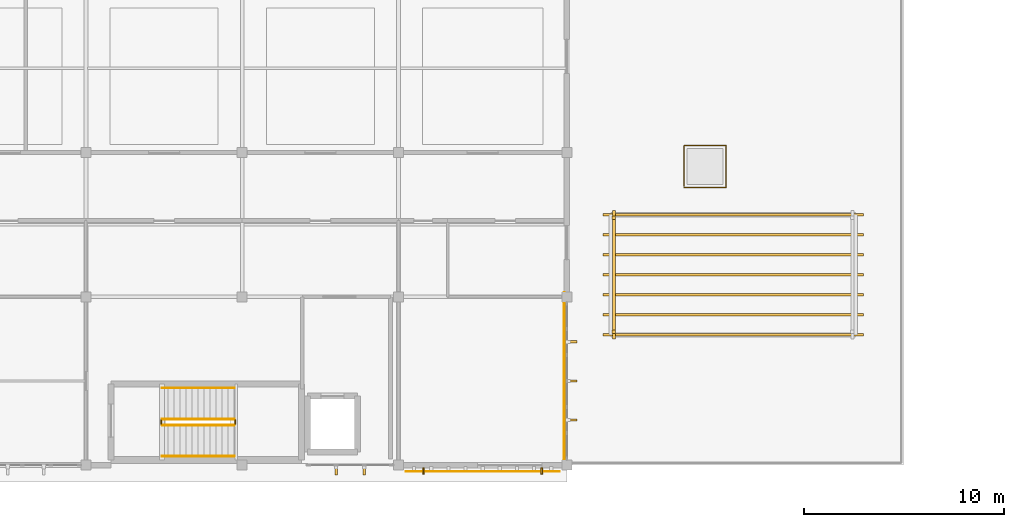
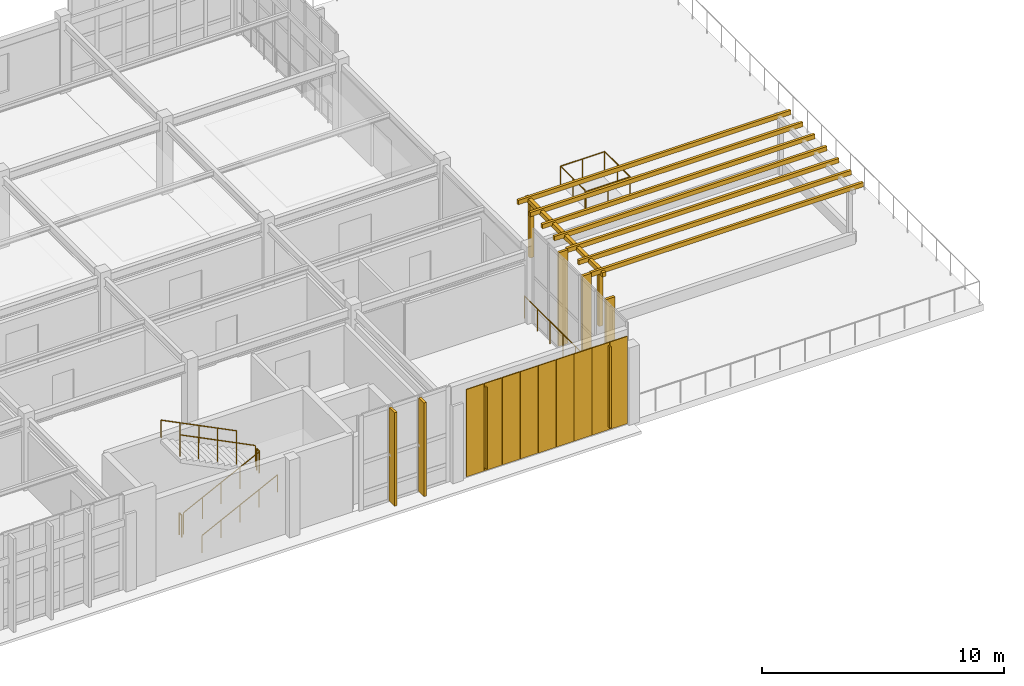
# One storey, part 18 of 20: 24 coverings, 8 railings, 2 shading devices.
"""IFC4 building model written with IfcOpenShell, lengths in metres."""

from ifc_helpers import new_model, si_unit, direction, frame, origin, origin_2d, place, context, subcontext, project, spatial, rectangle, circle, extrude, material, layer, layer_set, type_object, element, save


model = new_model("IFC4")

# Units and contexts
model_context = context("Model", 3, precision=1e-05, world=origin(), true_north=direction((0.0, 1.0)))
body_context = subcontext(model_context, "Body", "Model", "MODEL_VIEW")
ifc_project = project(units=[si_unit("LENGTHUNIT", "METRE"), si_unit("AREAUNIT", "SQUARE_METRE"), si_unit("VOLUMEUNIT", "CUBIC_METRE"), si_unit("PLANEANGLEUNIT", "RADIAN"), si_unit("MASSUNIT", "GRAM", prefix="KILO")], contexts=[model_context])

# Site, building, storey
site_placement = place(None, origin())
site = spatial("IfcSite", under=ifc_project, at=site_placement, CompositionType="ELEMENT")
building_placement = place(site_placement, origin())
building = spatial("IfcBuilding", under=site, at=building_placement, Name="Tizgana Railside Sports Hall", CompositionType="ELEMENT")
storey_placement = place(building_placement, frame((0.0, 0.0, 19.800048828125)))
storey = spatial("IfcBuildingStorey", under=building, at=storey_placement, Name="L04", CompositionType="ELEMENT", Elevation=19.800048828125)

# Shading devices
ifc_material_1 = material(Name="Glulam GL28h", Category="wood")
shading_device_type = type_object("IfcShadingDeviceType", Name="Glulam Vertical Brise-Soleil Fin 320", PredefinedType="JALOUSIE", material=ifc_material_1)
for number, where, z_axis, x_axis, name in (
    (1, (61.75, -0.2939453125, 0.349853515625), (0.0, 0.0, 1.0), (-1.0, 0.0, 0.0), "L04 Glulam Fin FIN-0053"),
    (2, (55.85009765625, -0.2939453125, 0.349853515625), (0.0, 0.0, 1.0), (-1.0, 0.0, 0.0), "L04 Glulam Fin FIN-0054"),
):
    element("IfcShadingDevice", number, at=place(storey_placement, frame(where, z_axis=z_axis, x_axis=x_axis)), inside=storey, type_object=shading_device_type, Name=name, PredefinedType="JALOUSIE", context=body_context, shape_type="SweptSolid", body=[
        extrude(rectangle(XDim=0.080078125, YDim=0.320068359375, at=origin_2d()), origin(), (0.0, 0.0, 1.0), 4.10009765625),
    ])

# Coverings
ifc_layer_1 = layer(ifc_material_1, 0.139892578125, Name="Glulam GL28h")
ifc_layer_set_1 = layer_set([ifc_layer_1], Name="Glulam GL28h")
covering_type_1 = type_object("IfcCoveringType", Name="Mass-Timber Brise-Soleil & Pergola Fin", PredefinedType="CLADDING", material=ifc_layer_set_1)
for number, where, z_axis, x_axis, name in (
    (3, (65.35009765625, 6.64990234375, -0.02001953125), (0.0, 0.0, 1.0), (1.0, 0.0, 0.0), "L04 L04 Terrace Pergola Post"),
    (4, (65.35009765625, 12.35009765625, -0.02001953125), (0.0, 0.0, 1.0), (1.0, 0.0, 0.0), "L04 L04 Terrace Pergola Post"),
):
    element("IfcCovering", number, at=place(storey_placement, frame(where, z_axis=z_axis, x_axis=x_axis)), inside=storey, type_object=covering_type_1, Name=name, PredefinedType="CLADDING", context=body_context, shape_type="SweptSolid", body=[
        extrude(rectangle(XDim=0.179931640625, YDim=0.179931640625, at=origin_2d()), origin(), (0.0, 0.0, 1.0), 2.669921875),
    ])
covering_placement = place(storey_placement, frame((65.35009765625, 9.5, 2.6298828125), z_axis=(0.0, 0.0, 1.0), x_axis=(1.0, 0.0, 0.0)))
element("IfcCovering", 5, at=covering_placement, inside=storey, type_object=covering_type_1, Name="L04 L04 Terrace Pergola Beam", PredefinedType="CLADDING", context=body_context, shape_type="SweptSolid", body=[
    extrude(rectangle(XDim=0.159912109375, YDim=6.39990234375, at=origin_2d()), origin(), (0.0, 0.0, 1.0), 0.219970703125),
])
for number, where, z_axis, x_axis, name in (
    (6, (71.300048828125, 6.5, 2.7197265625), (0.0, 0.0, 1.0), (1.0, 0.0, 0.0), "L04 L04 Terrace Pergola Rafter"),
    (7, (71.300048828125, 7.5, 2.7197265625), (0.0, 0.0, 1.0), (1.0, 0.0, 0.0), "L04 L04 Terrace Pergola Rafter"),
    (8, (71.300048828125, 8.5, 2.7197265625), (0.0, 0.0, 1.0), (1.0, 0.0, 0.0), "L04 L04 Terrace Pergola Rafter"),
    (9, (71.300048828125, 9.5, 2.7197265625), (0.0, 0.0, 1.0), (1.0, 0.0, 0.0), "L04 L04 Terrace Pergola Rafter"),
    (10, (71.300048828125, 10.5, 2.7197265625), (0.0, 0.0, 1.0), (1.0, 0.0, 0.0), "L04 L04 Terrace Pergola Rafter"),
    (11, (71.300048828125, 11.5, 2.7197265625), (0.0, 0.0, 1.0), (1.0, 0.0, 0.0), "L04 L04 Terrace Pergola Rafter"),
    (12, (71.300048828125, 12.5, 2.7197265625), (0.0, 0.0, 1.0), (1.0, 0.0, 0.0), "L04 L04 Terrace Pergola Rafter"),
):
    element("IfcCovering", number, at=place(storey_placement, frame(where, z_axis=z_axis, x_axis=x_axis)), inside=storey, type_object=covering_type_1, Name=name, PredefinedType="CLADDING", context=body_context, shape_type="SweptSolid", body=[
        extrude(rectangle(XDim=13.0, YDim=0.1201171875, at=origin_2d()), origin(), (0.0, 0.0, 1.0), 0.219970703125),
    ])
for number, where, z_axis, x_axis, name in (
    (13, (52.889892578125, -0.280029296875, 0.0400390625), (0.0, 0.0, 1.0), (-1.0, 0.0, 0.0), "L04 Timber Brise-Soleil Fin"),
    (14, (51.485107421875, -0.280029296875, 0.0400390625), (0.0, 0.0, 1.0), (-1.0, 0.0, 0.0), "L04 Timber Brise-Soleil Fin"),
    (15, (63.280029296875, 6.1474609375, 0.0400390625), (0.0, 0.0, 1.0), (0.0, -1.0, 0.0), "L04 Timber Brise-Soleil Fin"),
    (16, (63.280029296875, 4.199951171875, 0.0400390625), (0.0, 0.0, 1.0), (0.0, -1.0, 0.0), "L04 Timber Brise-Soleil Fin"),
    (17, (63.280029296875, 2.25244140625, 0.0400390625), (0.0, 0.0, 1.0), (0.0, -1.0, 0.0), "L04 Timber Brise-Soleil Fin"),
):
    element("IfcCovering", number, at=place(storey_placement, frame(where, z_axis=z_axis, x_axis=x_axis)), inside=storey, type_object=covering_type_1, Name=name, PredefinedType="CLADDING", context=body_context, shape_type="SweptSolid", body=[
        extrude(rectangle(XDim=0.1201171875, YDim=0.43994140625, at=origin_2d()), origin(), (0.0, 0.0, 1.0), 4.719970703125),
    ])
ifc_material_2 = material(Name="Anodised perforated aluminium screen", Category="aluminium")
ifc_layer_2 = layer(ifc_material_2, 0.044921875, Name="Anodised perforated aluminium screen")
ifc_layer_set_2 = layer_set([ifc_layer_2], Name="Anodised perforated aluminium screen")
covering_type_2 = type_object("IfcCoveringType", Name="Perforated Aluminium Hall Screen 900", PredefinedType="CLADDING", material=ifc_layer_set_2)
for number, where, z_axis, x_axis, name in (
    (18, (62.22216796875, -0.31494140625, 0.199951171875), (0.0, 0.0, 1.0), (-1.0, 0.0, 0.0), "L04 Perforated Screen SCR-0614"),
    (19, (61.36669921875, -0.31494140625, 0.199951171875), (0.0, 0.0, 1.0), (-1.0, 0.0, 0.0), "L04 Perforated Screen SCR-0615"),
    (20, (60.510986328125, -0.31494140625, 0.199951171875), (0.0, 0.0, 1.0), (-1.0, 0.0, 0.0), "L04 Perforated Screen SCR-0616"),
    (21, (59.655517578125, -0.31494140625, 0.199951171875), (0.0, 0.0, 1.0), (-1.0, 0.0, 0.0), "L04 Perforated Screen SCR-0617"),
    (22, (58.800048828125, -0.31494140625, 0.199951171875), (0.0, 0.0, 1.0), (-1.0, 0.0, 0.0), "L04 Perforated Screen SCR-0618"),
    (23, (57.9443359375, -0.31494140625, 0.199951171875), (0.0, 0.0, 1.0), (-1.0, 0.0, 0.0), "L04 Perforated Screen SCR-0619"),
    (24, (57.0888671875, -0.31494140625, 0.199951171875), (0.0, 0.0, 1.0), (-1.0, 0.0, 0.0), "L04 Perforated Screen SCR-0620"),
    (25, (56.2333984375, -0.31494140625, 0.199951171875), (0.0, 0.0, 1.0), (-1.0, 0.0, 0.0), "L04 Perforated Screen SCR-0621"),
    (26, (55.377685546875, -0.31494140625, 0.199951171875), (0.0, 0.0, 1.0), (-1.0, 0.0, 0.0), "L04 Perforated Screen SCR-0622"),
):
    element("IfcCovering", number, at=place(storey_placement, frame(where, z_axis=z_axis, x_axis=x_axis)), inside=storey, type_object=covering_type_2, Name=name, PredefinedType="CLADDING", context=body_context, shape_type="SweptSolid", body=[
        extrude(rectangle(XDim=0.837646484375, YDim=0.044921875, at=origin_2d()), origin(), (0.0, 0.0, 1.0), 4.39990234375),
    ])

# Railings
ifc_material_3 = material(Name="Galvanised steel sheet", Category="steel")
railing_type_1 = type_object("IfcRailingType", Name="Safety Balustrade Guard 1100", PredefinedType="BALUSTRADE", material=ifc_material_3)
railing_1_placement = place(storey_placement, frame((42.800048828125, 2.0, 0.14990234375)))
element("IfcRailing", 27, at=railing_1_placement, inside=storey, type_object=railing_type_1, Name="L04 ST-02 stair guard 1", PredefinedType="BALUSTRADE", context=body_context, shape_type="SweptSolid", body=[
    extrude(circle(Radius=0.02392578125, at=origin_2d()), frame((0.0, 0.0, 1.076171875), z_axis=(0.894415058897, 0.0, 0.447237858884), x_axis=(0.0, 1.0, 0.0)), (0.0, 0.0, 1.0), 4.02490234375),
    extrude(circle(Radius=0.02099609375, at=origin_2d()), origin(), (0.0, 0.0, 1.0), 1.052001953125),
    extrude(circle(Radius=0.02099609375, at=origin_2d()), frame((0.89990234375, 0.0, 0.449951171875)), (0.0, 0.0, 1.0), 1.052001953125),
    extrude(circle(Radius=0.02099609375, at=origin_2d()), frame((1.7998046875, 0.0, 0.89990234375)), (0.0, 0.0, 1.0), 1.052001953125),
    extrude(circle(Radius=0.02099609375, at=origin_2d()), frame((2.699951171875, 0.0, 1.35009765625)), (0.0, 0.0, 1.0), 1.052001953125),
    extrude(circle(Radius=0.02099609375, at=origin_2d()), frame((3.599853515625, 0.0, 1.800048828125)), (0.0, 0.0, 1.0), 1.052001953125),
])
railing_2_placement = place(storey_placement, frame((46.449951171875, 2.050048828125, 1.949951171875)))
element("IfcRailing", 28, at=railing_2_placement, inside=storey, type_object=railing_type_1, Name="L04 ST-02 stair guard 2", PredefinedType="BALUSTRADE", context=body_context, shape_type="SweptSolid", body=[
    extrude(circle(Radius=0.02392578125, at=origin_2d()), frame((0.0, 0.0, 1.076171875), z_axis=(0.0, 1.0, 0.0), x_axis=(-1.0, 0.0, 0.0)), (0.0, 0.0, 1.0), 0.199951171875),
    extrude(circle(Radius=0.02099609375, at=origin_2d()), origin(), (0.0, 0.0, 1.0), 1.052001953125),
    extrude(circle(Radius=0.02099609375, at=origin_2d()), frame((0.0, 0.199951171875, 0.0)), (0.0, 0.0, 1.0), 1.052001953125),
])
railing_3_placement = place(storey_placement, frame((46.39990234375, 2.300048828125, 2.099853515625)))
element("IfcRailing", 29, at=railing_3_placement, inside=storey, type_object=railing_type_1, Name="L04 ST-02 stair guard 3", PredefinedType="BALUSTRADE", context=body_context, shape_type="SweptSolid", body=[
    extrude(circle(Radius=0.02392578125, at=origin_2d()), frame((0.0, 0.0, 1.076171875), z_axis=(-0.894415058897, 0.0, 0.447237858884), x_axis=(0.0, -1.0, 0.0)), (0.0, 0.0, 1.0), 4.02490234375),
    extrude(circle(Radius=0.02099609375, at=origin_2d()), origin(), (0.0, 0.0, 1.0), 1.052001953125),
    extrude(circle(Radius=0.02099609375, at=origin_2d()), frame((-0.89990234375, 0.0, 0.449951171875)), (0.0, 0.0, 1.0), 1.052001953125),
    extrude(circle(Radius=0.02099609375, at=origin_2d()), frame((-1.7998046875, 0.0, 0.89990234375)), (0.0, 0.0, 1.0), 1.052001953125),
    extrude(circle(Radius=0.02099609375, at=origin_2d()), frame((-2.699951171875, 0.0, 1.35009765625)), (0.0, 0.0, 1.0), 1.052001953125),
    extrude(circle(Radius=0.02099609375, at=origin_2d()), frame((-3.599853515625, 0.0, 1.800048828125)), (0.0, 0.0, 1.0), 1.052001953125),
])
railing_4_placement = place(storey_placement, frame((42.75, 2.050048828125, 0.0)))
element("IfcRailing", 30, at=railing_4_placement, inside=storey, type_object=railing_type_1, Name="L04 ST-02 stair guard 4", PredefinedType="BALUSTRADE", context=body_context, shape_type="SweptSolid", body=[
    extrude(circle(Radius=0.02392578125, at=origin_2d()), frame((0.0, 0.0, 1.076171875), z_axis=(0.0, 1.0, 0.0), x_axis=(-1.0, 0.0, 0.0)), (0.0, 0.0, 1.0), 0.199951171875),
    extrude(circle(Radius=0.02099609375, at=origin_2d()), origin(), (0.0, 0.0, 1.0), 1.052001953125),
    extrude(circle(Radius=0.02099609375, at=origin_2d()), frame((0.0, 0.199951171875, 0.0)), (0.0, 0.0, 1.0), 1.052001953125),
])
ifc_material_4 = material(Name="Brushed stainless steel", Category="steel")
railing_type_2 = type_object("IfcRailingType", Name="Stair & Ramp Wall Handrail 900", PredefinedType="HANDRAIL", material=ifc_material_4)
railing_5_placement = place(storey_placement, frame((42.800048828125, 0.449951171875, 0.14990234375)))
element("IfcRailing", 31, at=railing_5_placement, inside=storey, type_object=railing_type_2, Name="L04 ST-02 stair handrail 1", PredefinedType="HANDRAIL", context=body_context, shape_type="SweptSolid", body=[
    extrude(circle(Radius=0.02392578125, at=origin_2d()), frame((0.0, 0.0, 0.8759765625), z_axis=(0.894415058897, 0.0, 0.447237858884), x_axis=(0.0, 1.0, 0.0)), (0.0, 0.0, 1.0), 4.02490234375),
    extrude(circle(Radius=0.02099609375, at=origin_2d()), origin(), (0.0, 0.0, 1.0), 0.851806640625),
    extrude(circle(Radius=0.02099609375, at=origin_2d()), frame((0.89990234375, 0.0, 0.449951171875)), (0.0, 0.0, 1.0), 0.851806640625),
    extrude(circle(Radius=0.02099609375, at=origin_2d()), frame((1.7998046875, 0.0, 0.89990234375)), (0.0, 0.0, 1.0), 0.851806640625),
    extrude(circle(Radius=0.02099609375, at=origin_2d()), frame((2.699951171875, 0.0, 1.35009765625)), (0.0, 0.0, 1.0), 0.851806640625),
    extrude(circle(Radius=0.02099609375, at=origin_2d()), frame((3.599853515625, 0.0, 1.800048828125)), (0.0, 0.0, 1.0), 0.851806640625),
])
railing_6_placement = place(storey_placement, frame((46.39990234375, 3.85009765625, 2.099853515625)))
element("IfcRailing", 32, at=railing_6_placement, inside=storey, type_object=railing_type_2, Name="L04 ST-02 stair handrail 2", PredefinedType="HANDRAIL", context=body_context, shape_type="SweptSolid", body=[
    extrude(circle(Radius=0.02392578125, at=origin_2d()), frame((0.0, 0.0, 0.8759765625), z_axis=(-0.894415058897, 0.0, 0.447237858884), x_axis=(0.0, -1.0, 0.0)), (0.0, 0.0, 1.0), 4.02490234375),
    extrude(circle(Radius=0.02099609375, at=origin_2d()), origin(), (0.0, 0.0, 1.0), 0.851806640625),
    extrude(circle(Radius=0.02099609375, at=origin_2d()), frame((-0.89990234375, 0.0, 0.449951171875)), (0.0, 0.0, 1.0), 0.851806640625),
    extrude(circle(Radius=0.02099609375, at=origin_2d()), frame((-1.7998046875, 0.0, 0.89990234375)), (0.0, 0.0, 1.0), 0.851806640625),
    extrude(circle(Radius=0.02099609375, at=origin_2d()), frame((-2.699951171875, 0.0, 1.35009765625)), (0.0, 0.0, 1.0), 0.851806640625),
    extrude(circle(Radius=0.02099609375, at=origin_2d()), frame((-3.599853515625, 0.0, 1.800048828125)), (0.0, 0.0, 1.0), 0.851806640625),
])
ifc_material_5 = material(Name="Anodised aluminium", Category="aluminium")
railing_type_3 = type_object("IfcRailingType", Name="Terrace & Track Guard 1150", PredefinedType="BALUSTRADE", material=ifc_material_5)
railing_7_placement = place(storey_placement, frame((68.85009765625, 13.85009765625, 0.0)))
element("IfcRailing", 33, at=railing_7_placement, inside=storey, type_object=railing_type_3, Name="L04 Safety Guard GRD-0014", PredefinedType="BALUSTRADE", context=body_context, shape_type="SweptSolid", body=[
    extrude(circle(Radius=0.02392578125, at=origin_2d()), frame((0.0, 0.0, 1.1259765625), z_axis=(1.0, 0.0, 0.0), x_axis=(0.0, 1.0, 0.0)), (0.0, 0.0, 1.0), 2.099853515625),
    extrude(circle(Radius=0.02392578125, at=origin_2d()), frame((2.099853515625, 0.0, 1.1259765625), z_axis=(0.0, 1.0, 0.0), x_axis=(-1.0, 0.0, 0.0)), (0.0, 0.0, 1.0), 2.099853515625),
    extrude(circle(Radius=0.02392578125, at=origin_2d()), frame((2.099853515625, 2.099853515625, 1.1259765625), z_axis=(-1.0, 0.0, 0.0), x_axis=(0.0, -1.0, 0.0)), (0.0, 0.0, 1.0), 2.099853515625),
    extrude(circle(Radius=0.02392578125, at=origin_2d()), frame((0.0, 2.099853515625, 1.1259765625), z_axis=(0.0, -1.0, 0.0), x_axis=(1.0, 0.0, 0.0)), (0.0, 0.0, 1.0), 2.02001953125),
    extrude(circle(Radius=0.02099609375, at=origin_2d()), origin(), (0.0, 0.0, 1.0), 1.101806640625),
    extrude(circle(Radius=0.02099609375, at=origin_2d()), frame((1.0498046875, 0.0, 0.0)), (0.0, 0.0, 1.0), 1.101806640625),
    extrude(circle(Radius=0.02099609375, at=origin_2d()), frame((2.099853515625, 0.0, 0.0)), (0.0, 0.0, 1.0), 1.101806640625),
    extrude(circle(Radius=0.02099609375, at=origin_2d()), frame((2.099853515625, 1.0498046875, 0.0)), (0.0, 0.0, 1.0), 1.101806640625),
    extrude(circle(Radius=0.02099609375, at=origin_2d()), frame((2.099853515625, 2.099853515625, 0.0)), (0.0, 0.0, 1.0), 1.101806640625),
    extrude(circle(Radius=0.02099609375, at=origin_2d()), frame((1.0498046875, 2.099853515625, 0.0)), (0.0, 0.0, 1.0), 1.101806640625),
    extrude(circle(Radius=0.02099609375, at=origin_2d()), frame((0.0, 2.099853515625, 0.0)), (0.0, 0.0, 1.0), 1.101806640625),
    extrude(circle(Radius=0.02099609375, at=origin_2d()), frame((0.0, 1.08984375, 0.0)), (0.0, 0.0, 1.0), 1.101806640625),
    extrude(circle(Radius=0.02099609375, at=origin_2d()), frame((0.0, 0.079833984375, 0.0)), (0.0, 0.0, 1.0), 1.101806640625),
])
railing_8_placement = place(storey_placement, frame((62.8798828125, 0.14990234375, 0.0)))
element("IfcRailing", 34, at=railing_8_placement, inside=storey, type_object=railing_type_3, Name="L04 Safety Guard GRD-0039", PredefinedType="BALUSTRADE", context=body_context, shape_type="SweptSolid", body=[
    extrude(circle(Radius=0.02392578125, at=origin_2d()), frame((0.0, 0.0, 1.1259765625), z_axis=(0.0, 1.0, 0.0), x_axis=(-1.0, 0.0, 0.0)), (0.0, 0.0, 1.0), 8.4501953125),
    extrude(circle(Radius=0.02099609375, at=origin_2d()), origin(), (0.0, 0.0, 1.0), 1.101806640625),
    extrude(circle(Radius=0.02099609375, at=origin_2d()), frame((0.0, 1.05615234375, 0.0)), (0.0, 0.0, 1.0), 1.101806640625),
    extrude(circle(Radius=0.02099609375, at=origin_2d()), frame((0.0, 2.112548828125, 0.0)), (0.0, 0.0, 1.0), 1.101806640625),
    extrude(circle(Radius=0.02099609375, at=origin_2d()), frame((0.0, 3.1689453125, 0.0)), (0.0, 0.0, 1.0), 1.101806640625),
    extrude(circle(Radius=0.02099609375, at=origin_2d()), frame((0.0, 4.22509765625, 0.0)), (0.0, 0.0, 1.0), 1.101806640625),
    extrude(circle(Radius=0.02099609375, at=origin_2d()), frame((0.0, 5.28125, 0.0)), (0.0, 0.0, 1.0), 1.101806640625),
    extrude(circle(Radius=0.02099609375, at=origin_2d()), frame((0.0, 6.337646484375, 0.0)), (0.0, 0.0, 1.0), 1.101806640625),
    extrude(circle(Radius=0.02099609375, at=origin_2d()), frame((0.0, 7.39404296875, 0.0)), (0.0, 0.0, 1.0), 1.101806640625),
    extrude(circle(Radius=0.02099609375, at=origin_2d()), frame((0.0, 8.4501953125, 0.0)), (0.0, 0.0, 1.0), 1.101806640625),
])

save(model, "model.ifc")
